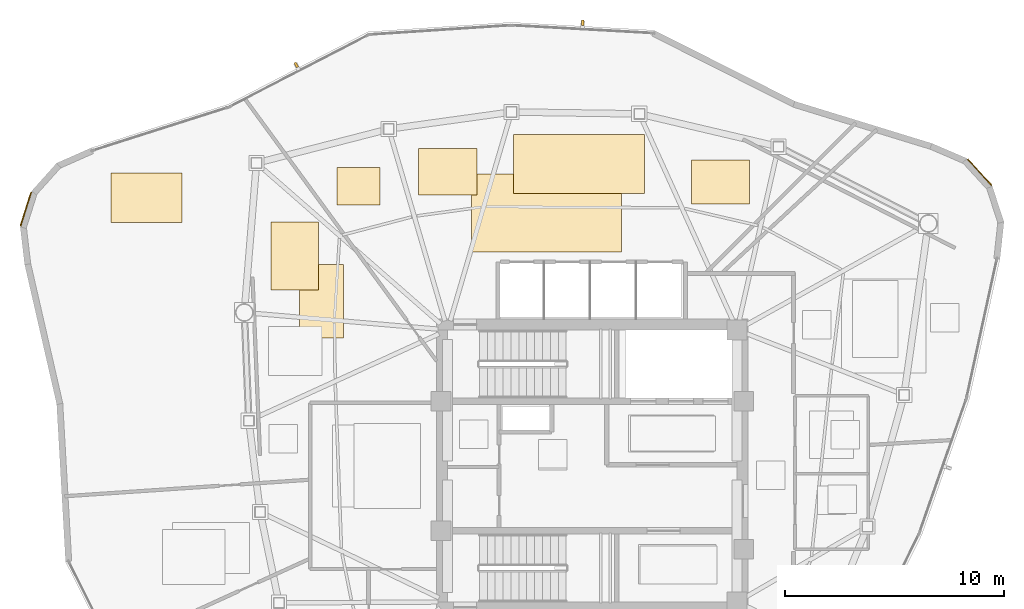
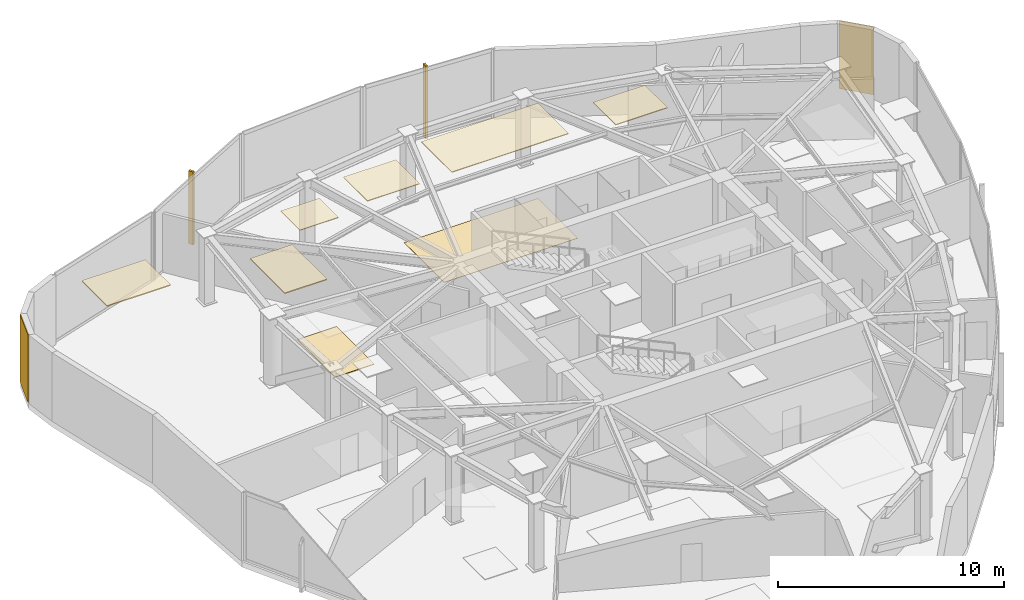
# One storey, part 13 of 13: 10 coverings, 2 shading devices.
"""IFC4 building model written with IfcOpenShell, lengths in metres."""

from ifc_helpers import new_model, si_unit, direction, frame, origin, origin_2d, place, context, subcontext, project, spatial, polyline, rectangle, outline, extrude, source, transform, mapped, material, layer, layer_set, type_object, type_shapes, element, save


model = new_model("IFC4")

# Units and contexts
model_context = context("Model", 3, precision=1e-05, world=origin(), true_north=direction((0.0, 1.0)))
body_context = subcontext(model_context, "Body", "Model", "MODEL_VIEW")
ifc_project = project(units=[si_unit("LENGTHUNIT", "METRE"), si_unit("AREAUNIT", "SQUARE_METRE"), si_unit("VOLUMEUNIT", "CUBIC_METRE"), si_unit("PLANEANGLEUNIT", "RADIAN"), si_unit("MASSUNIT", "GRAM", prefix="KILO")], contexts=[model_context])

# Site, building, storey
site_placement = place(None, origin())
site = spatial("IfcSite", under=ifc_project, at=site_placement, CompositionType="ELEMENT")
building_placement = place(site_placement, origin())
building = spatial("IfcBuilding", under=site, at=building_placement, Name="Tavelor Broadcast Tower", CompositionType="ELEMENT")
storey_placement = place(building_placement, frame((0.0, 0.0, 297.5)))
storey = spatial("IfcBuildingStorey", under=building, at=storey_placement, Name="L71", CompositionType="ELEMENT", Elevation=297.5)

# Coverings
ifc_material_1 = material(Name="Copper-Bronze Anodized Aluminium", Category="aluminium")
ifc_layer_1 = layer(ifc_material_1, 0.050048828125)
ifc_layer_set_1 = layer_set([ifc_layer_1], Name="Copper-Bronze Anodized Aluminium")
covering_type_1 = type_object("IfcCoveringType", Name="Champagne-Bronze Corner Pier Metal Cladding 50 mm", PredefinedType="CLADDING", material=ifc_layer_set_1)
for number, where, z_axis, x_axis, name in (
    (1, (24.17529296875, 56.711181640625, 0.02001953125), (0.0, 0.0, 1.0), (-0.301537959944, -0.953454172319, 0.0), "L71 Champagne-Bronze Corner Cladding 03"),
    (2, (67.654296875, 58.3916015625, 0.02001953125), (0.0, 0.0, 1.0), (-0.6749465546, 0.737866619677, 0.0), "L71 Champagne-Bronze Corner Cladding 23"),
):
    element("IfcCovering", number, at=place(storey_placement, frame(where, z_axis=z_axis, x_axis=x_axis)), inside=storey, type_object=covering_type_1, Name=name, PredefinedType="CLADDING", context=body_context, shape_type="SweptSolid", body=[
        extrude(rectangle(XDim=1.615966796875, YDim=0.050048828125, at=origin_2d()), origin(), (0.0, 0.0, 1.0), 3.659912109375),
    ])
ifc_material_2 = material(Name="Acoustic Nylon Carpet Tile")
ifc_layer_2 = layer(ifc_material_2, 0.02001953125)
ifc_layer_set_2 = layer_set([ifc_layer_2], Name="Acoustic Nylon Carpet Tile")
covering_type_2 = type_object("IfcCoveringType", Name="Heavy-Duty Acoustic Broadcast Carpet Tile 20 mm", PredefinedType="FLOORING", material=ifc_layer_set_2)
covering_1_placement = place(storey_placement, origin())
element("IfcCovering", 3, at=covering_1_placement, inside=storey, type_object=covering_type_2, Name="L71 Broadcast Floor Finish 1066", PredefinedType="FLOORING", context=body_context, shape_type="SweptSolid", body=[
    extrude(outline(polyline([(44.487060546875, 54.7607421875), (51.327392578125, 54.7607421875), (51.327392578125, 58.30322265625), (44.487060546875, 58.30322265625), (44.487060546875, 54.7607421875)])), origin(), (0.0, 0.0, 1.0), 0.02001953125),
])
ifc_material_3 = material(Name="Acoustic Hardwood Studio Flooring", Category="wood")
ifc_layer_3 = layer(ifc_material_3, 0.034912109375)
ifc_layer_set_3 = layer_set([ifc_layer_3], Name="Acoustic Hardwood Studio Flooring")
covering_type_3 = type_object("IfcCoveringType", Name="Isolated Studio Acoustic Elastomeric Floor Finish 35 mm", PredefinedType="FLOORING", material=ifc_layer_set_3)
covering_2_placement = place(storey_placement, origin())
element("IfcCovering", 4, at=covering_2_placement, inside=storey, type_object=covering_type_3, Name="L71 Broadcast Floor Finish 1065", PredefinedType="FLOORING", context=body_context, shape_type="SweptSolid", body=[
    extrude(outline(polyline([(36.653076171875, 50.837158203125), (38.661376953125, 50.837158203125), (38.661376953125, 54.18408203125), (36.653076171875, 54.18408203125), (36.653076171875, 50.837158203125)])), origin(), (0.0, 0.0, 1.0), 0.034912109375),
])
ifc_material_4 = material(Name="Acoustic Perforated Timber Baffle", Category="wood")
ifc_layer_4 = layer(ifc_material_4, 0.054931640625)
ifc_layer_set_4 = layer_set([ifc_layer_4], Name="Acoustic Perforated Timber Baffle")
covering_type_4 = type_object("IfcCoveringType", Name="Micro-Perforated Acoustic Baffle Studio Ceiling 55 mm", PredefinedType="CEILING", material=ifc_layer_set_4)
covering_3_placement = place(storey_placement, frame((0.0, 0.0, 3.64501953125)))
element("IfcCovering", 5, at=covering_3_placement, inside=storey, type_object=covering_type_4, Name="L71 Suspended Acoustic Ceiling 2717", PredefinedType="CEILING", context=body_context, shape_type="SweptSolid", body=[
    extrude(outline(polyline([(35.348876953125, 53.025634765625), (37.5078125, 53.025634765625), (37.5078125, 56.111572265625), (35.348876953125, 56.111572265625), (35.348876953125, 53.025634765625)])), origin(), (0.0, 0.0, 1.0), 0.054931640625),
])
covering_4_placement = place(storey_placement, frame((0.0, 0.0, 3.64501953125)))
element("IfcCovering", 6, at=covering_4_placement, inside=storey, type_object=covering_type_4, Name="L71 Suspended Acoustic Ceiling 2718", PredefinedType="CEILING", context=body_context, shape_type="SweptSolid", body=[
    extrude(outline(polyline([(28.051513671875, 56.107177734375), (31.29638671875, 56.107177734375), (31.29638671875, 58.35009765625), (28.051513671875, 58.35009765625), (28.051513671875, 56.107177734375)])), origin(), (0.0, 0.0, 1.0), 0.054931640625),
])
ifc_material_5 = material(Name="Acoustic Mineral Fibre Tile")
ifc_layer_5 = layer(ifc_material_5, 0.0400390625)
ifc_layer_set_5 = layer_set([ifc_layer_5], Name="Acoustic Mineral Fibre Tile")
covering_type_5 = type_object("IfcCoveringType", Name="Suspended Acoustic Mineral-Fibre Office Ceiling 40 mm", PredefinedType="CEILING", material=ifc_layer_set_5)
covering_5_placement = place(storey_placement, frame((0.0, 0.0, 3.659912109375)))
element("IfcCovering", 7, at=covering_5_placement, inside=storey, type_object=covering_type_5, Name="L71 Suspended Acoustic Ceiling 2721", PredefinedType="CEILING", context=body_context, shape_type="SweptSolid", body=[
    extrude(outline(polyline([(54.51708984375, 56.95166015625), (57.165771484375, 56.95166015625), (57.165771484375, 58.951171875), (54.51708984375, 58.951171875), (54.51708984375, 56.95166015625)])), origin(), (0.0, 0.0, 1.0), 0.0400390625),
])
covering_6_placement = place(storey_placement, frame((0.0, 0.0, 3.659912109375)))
element("IfcCovering", 8, at=covering_6_placement, inside=storey, type_object=covering_type_5, Name="L71 Suspended Acoustic Ceiling 2722", PredefinedType="CEILING", context=body_context, shape_type="SweptSolid", body=[
    extrude(outline(polyline([(38.357421875, 56.896728515625), (40.3310546875, 56.896728515625), (40.3310546875, 58.6015625), (38.357421875, 58.6015625), (38.357421875, 56.896728515625)])), origin(), (0.0, 0.0, 1.0), 0.0400390625),
])
covering_7_placement = place(storey_placement, frame((0.0, 0.0, 3.659912109375)))
element("IfcCovering", 9, at=covering_7_placement, inside=storey, type_object=covering_type_5, Name="L71 Suspended Acoustic Ceiling 2723", PredefinedType="CEILING", context=body_context, shape_type="SweptSolid", body=[
    extrude(outline(polyline([(46.41064453125, 57.414794921875), (52.3798828125, 57.414794921875), (52.3798828125, 60.12158203125), (46.41064453125, 60.12158203125), (46.41064453125, 57.414794921875)])), origin(), (0.0, 0.0, 1.0), 0.0400390625),
])
covering_8_placement = place(storey_placement, frame((0.0, 0.0, 3.659912109375)))
element("IfcCovering", 10, at=covering_8_placement, inside=storey, type_object=covering_type_5, Name="L71 Suspended Acoustic Ceiling 2724", PredefinedType="CEILING", context=body_context, shape_type="SweptSolid", body=[
    extrude(outline(polyline([(42.065185546875, 57.3564453125), (44.7392578125, 57.3564453125), (44.7392578125, 59.48046875), (42.065185546875, 59.48046875), (42.065185546875, 57.3564453125)])), origin(), (0.0, 0.0, 1.0), 0.0400390625),
])

# Shading devices
ifc_material_6 = material(Name="Kiln-Fired Glazed Terracotta", Category="masonry")
shading_device_type = type_object("IfcShadingDeviceType", Name="Extruded Terracotta Baguette Sun-Screen 110x240", PredefinedType="JALOUSIE", material=ifc_material_6)
shared_shape = source(origin(), body_context, "Body", "SweptSolid", [
    extrude(rectangle(XDim=0.110107421875, YDim=0.239990234375, at=origin_2d()), origin(), (0.0, 0.0, 1.0), 3.93994140625),
])
type_shapes(shading_device_type, [shared_shape])
for number, where, z_axis, x_axis, name in (
    (11, (49.5634765625, 65.208740234375, -0.260009765625), (0.0, 0.0, 1.0), (-0.998460188734, 0.055472980025, 0.0), "L71 Terracotta Baguette Fin 701"),
    (12, (36.50048828125, 63.283935546875, -0.260009765625), (0.0, 0.0, 1.0), (-0.888136448814, -0.459579860621, 0.0), "L71 Terracotta Baguette Fin 702"),
):
    element("IfcShadingDevice", number, at=place(storey_placement, frame(where, z_axis=z_axis, x_axis=x_axis)), inside=storey, type_object=shading_device_type, Name=name, PredefinedType="JALOUSIE", context=body_context, shape_type="MappedRepresentation", body=[
        mapped(shared_shape, transform((0.0, 0.0, 0.0), scale=1.0)),
    ])

save(model, "model.ifc")
